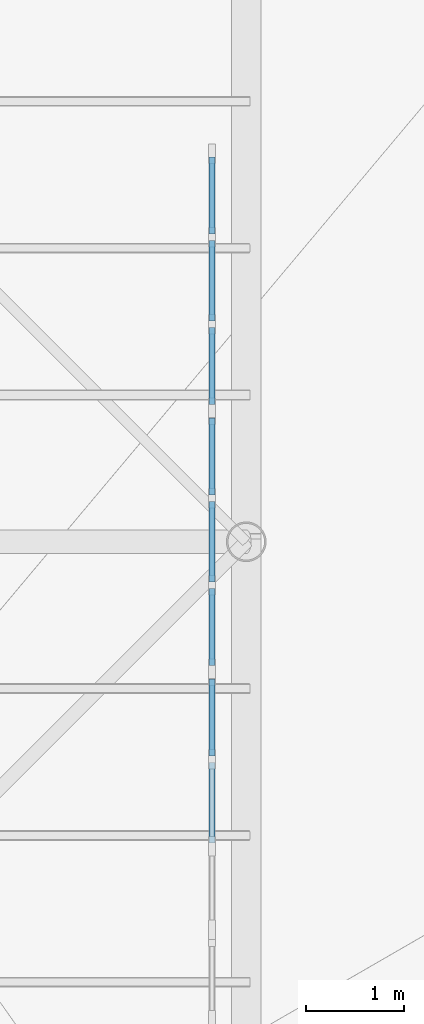
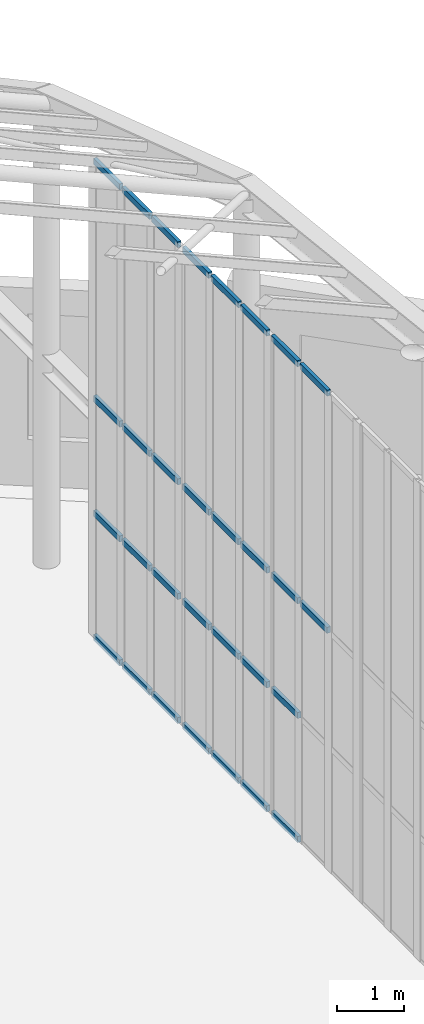
# One storey, part 49 of 75: 30 members, 3 elements without a shape of their own.
"""IFC4 building model written with IfcOpenShell, lengths in metres."""

from ifc_helpers import new_model, si_unit, direction, frame, origin, origin_2d, place, context, subcontext, project, spatial, rectangle, extrude, material, material_profile, profile_set, type_object, element, aggregate, save


model = new_model("IFC4")

# Units and contexts
model_context = context("Model", 3, precision=1e-05, world=origin(), true_north=direction((0.0, 1.0)))
body_context = subcontext(model_context, "Body", "Model", "MODEL_VIEW")
ifc_project = project(units=[si_unit("LENGTHUNIT", "METRE"), si_unit("AREAUNIT", "SQUARE_METRE"), si_unit("VOLUMEUNIT", "CUBIC_METRE"), si_unit("PLANEANGLEUNIT", "RADIAN"), si_unit("MASSUNIT", "GRAM", prefix="KILO")], contexts=[model_context])

# Site, building, storey
site_placement = place(None, origin())
site = spatial("IfcSite", under=ifc_project, at=site_placement, CompositionType="ELEMENT")
building_placement = place(site_placement, origin())
building = spatial("IfcBuilding", under=site, at=building_placement, Name="Kolvaren Corner Interchange", CompositionType="ELEMENT")
storey_placement = place(building_placement, frame((0.0, 0.0, 10.5)))
storey = spatial("IfcBuildingStorey", under=building, at=storey_placement, Name="L03", CompositionType="ELEMENT", Elevation=10.5)

# Curtain wall, members
ifc_material_1 = material(Name="Unitised Aluminium and Solar-Control Glass Curtain Wall", Category="aluminium")
curtain_wall_type = type_object("IfcCurtainWallType", Name="CW-V1-CLER", PredefinedType="NOTDEFINED", material=ifc_material_1)
curtain_wall_1_placement = place(storey_placement, origin())
curtain_wall_1 = element("IfcCurtainWall", 1, at=curtain_wall_1_placement, inside=storey, type_object=curtain_wall_type, Name="Gridshell East End Curtain Wall Bay 10", PredefinedType="NOTDEFINED")
ifc_material_2 = material(Name="Anodised Aluminium Framing", Category="aluminium")
ifc_material_profile = material_profile(ifc_material_2, rectangle(XDim=0.06005859375, YDim=0.110107421875, at=origin_2d()), Name="ALU 60x110")
ifc_profile_set = profile_set([ifc_material_profile], Name="Anodised Aluminium Framing")
member_type = type_object("IfcMemberType", Name="TRN-ALU60x110", PredefinedType="USERDEFINED", material=ifc_profile_set)
member_1_placement = place(storey_placement, frame((131.64990234375, 56.923828125, 4.39990234375), z_axis=(0.0, 1.0, 0.0), x_axis=(-1.0, 0.0, 0.0)))
member_1 = element("IfcMember", 2, at=member_1_placement, type_object=member_type, Name="CW-103 transom 2.3", ObjectType="TRANSOM", PredefinedType="USERDEFINED", context=body_context, shape_type="SweptSolid", body=[
    extrude(rectangle(XDim=0.06005859375, YDim=0.110107421875, at=origin_2d()), origin(), (0.0, 0.0, 1.0), 0.819091796875),
])
member_2_placement = place(storey_placement, frame((131.64990234375, 56.923828125, 8.741943359375), z_axis=(0.0, 1.0, 0.0), x_axis=(-1.0, 0.0, 0.0)))
member_2 = element("IfcMember", 3, at=member_2_placement, type_object=member_type, Name="CW-103 transom 2.4", ObjectType="TRANSOM", PredefinedType="USERDEFINED", context=body_context, shape_type="SweptSolid", body=[
    extrude(rectangle(XDim=0.06005859375, YDim=0.110107421875, at=origin_2d()), origin(), (0.0, 0.0, 1.0), 0.819091796875),
])
member_3_placement = place(storey_placement, frame((131.64990234375, 57.812744140625, 0.030029296875), z_axis=(0.0, 1.0, 0.0), x_axis=(-1.0, 0.0, 0.0)))
member_3 = element("IfcMember", 4, at=member_3_placement, type_object=member_type, Name="CW-103 transom 3.1", ObjectType="TRANSOM", PredefinedType="USERDEFINED", context=body_context, shape_type="SweptSolid", body=[
    extrude(rectangle(XDim=0.06005859375, YDim=0.110107421875, at=origin_2d()), origin(), (0.0, 0.0, 1.0), 0.783935546875),
])
member_4_placement = place(storey_placement, frame((131.64990234375, 57.812744140625, 2.300048828125), z_axis=(0.0, 1.0, 0.0), x_axis=(-1.0, 0.0, 0.0)))
member_4 = element("IfcMember", 5, at=member_4_placement, type_object=member_type, Name="CW-103 transom 3.2", ObjectType="TRANSOM", PredefinedType="USERDEFINED", context=body_context, shape_type="SweptSolid", body=[
    extrude(rectangle(XDim=0.06005859375, YDim=0.110107421875, at=origin_2d()), origin(), (0.0, 0.0, 1.0), 0.783935546875),
])
member_5_placement = place(storey_placement, frame((131.64990234375, 57.812744140625, 4.39990234375), z_axis=(0.0, 1.0, 0.0), x_axis=(-1.0, 0.0, 0.0)))
member_5 = element("IfcMember", 6, at=member_5_placement, type_object=member_type, Name="CW-103 transom 3.3", ObjectType="TRANSOM", PredefinedType="USERDEFINED", context=body_context, shape_type="SweptSolid", body=[
    extrude(rectangle(XDim=0.06005859375, YDim=0.110107421875, at=origin_2d()), origin(), (0.0, 0.0, 1.0), 0.783935546875),
])
member_6_placement = place(storey_placement, frame((131.64990234375, 57.812744140625, 8.741943359375), z_axis=(0.0, 1.0, 0.0), x_axis=(-1.0, 0.0, 0.0)))
member_6 = element("IfcMember", 7, at=member_6_placement, type_object=member_type, Name="CW-103 transom 3.4", ObjectType="TRANSOM", PredefinedType="USERDEFINED", context=body_context, shape_type="SweptSolid", body=[
    extrude(rectangle(XDim=0.06005859375, YDim=0.110107421875, at=origin_2d()), origin(), (0.0, 0.0, 1.0), 0.783935546875),
])
aggregate(curtain_wall_1, [member_1, member_2, member_3, member_4, member_5, member_6])

curtain_wall_2_placement = place(storey_placement, origin())
curtain_wall_2 = element("IfcCurtainWall", 8, at=curtain_wall_2_placement, inside=storey, type_object=curtain_wall_type, Name="Gridshell East End Curtain Wall Bay 11", PredefinedType="NOTDEFINED")
member_7_placement = place(storey_placement, frame((131.64990234375, 58.73681640625, 0.030029296875), z_axis=(0.0, 1.0, 0.0), x_axis=(-1.0, 0.0, 0.0)))
member_7 = element("IfcMember", 9, at=member_7_placement, type_object=member_type, Name="CW-104 transom 1.1", ObjectType="TRANSOM", PredefinedType="USERDEFINED", context=body_context, shape_type="SweptSolid", body=[
    extrude(rectangle(XDim=0.06005859375, YDim=0.110107421875, at=origin_2d()), origin(), (0.0, 0.0, 1.0), 0.78369140625),
])
member_8_placement = place(storey_placement, frame((131.64990234375, 58.73681640625, 2.300048828125), z_axis=(0.0, 1.0, 0.0), x_axis=(-1.0, 0.0, 0.0)))
member_8 = element("IfcMember", 10, at=member_8_placement, type_object=member_type, Name="CW-104 transom 1.2", ObjectType="TRANSOM", PredefinedType="USERDEFINED", context=body_context, shape_type="SweptSolid", body=[
    extrude(rectangle(XDim=0.06005859375, YDim=0.110107421875, at=origin_2d()), origin(), (0.0, 0.0, 1.0), 0.78369140625),
])
member_9_placement = place(storey_placement, frame((131.64990234375, 58.73681640625, 4.39990234375), z_axis=(0.0, 1.0, 0.0), x_axis=(-1.0, 0.0, 0.0)))
member_9 = element("IfcMember", 11, at=member_9_placement, type_object=member_type, Name="CW-104 transom 1.3", ObjectType="TRANSOM", PredefinedType="USERDEFINED", context=body_context, shape_type="SweptSolid", body=[
    extrude(rectangle(XDim=0.06005859375, YDim=0.110107421875, at=origin_2d()), origin(), (0.0, 0.0, 1.0), 0.78369140625),
])
member_10_placement = place(storey_placement, frame((131.64990234375, 58.73681640625, 8.741943359375), z_axis=(0.0, 1.0, 0.0), x_axis=(-1.0, 0.0, 0.0)))
member_10 = element("IfcMember", 12, at=member_10_placement, type_object=member_type, Name="CW-104 transom 1.4", ObjectType="TRANSOM", PredefinedType="USERDEFINED", context=body_context, shape_type="SweptSolid", body=[
    extrude(rectangle(XDim=0.06005859375, YDim=0.110107421875, at=origin_2d()), origin(), (0.0, 0.0, 1.0), 0.78369140625),
])
member_11_placement = place(storey_placement, frame((131.64990234375, 59.590576171875, 0.030029296875), z_axis=(0.0, 1.0, 0.0), x_axis=(-1.0, 0.0, 0.0)))
member_11 = element("IfcMember", 13, at=member_11_placement, type_object=member_type, Name="CW-104 transom 2.1", ObjectType="TRANSOM", PredefinedType="USERDEFINED", context=body_context, shape_type="SweptSolid", body=[
    extrude(rectangle(XDim=0.06005859375, YDim=0.110107421875, at=origin_2d()), origin(), (0.0, 0.0, 1.0), 0.81884765625),
])
member_12_placement = place(storey_placement, frame((131.64990234375, 59.590576171875, 2.300048828125), z_axis=(0.0, 1.0, 0.0), x_axis=(-1.0, 0.0, 0.0)))
member_12 = element("IfcMember", 14, at=member_12_placement, type_object=member_type, Name="CW-104 transom 2.2", ObjectType="TRANSOM", PredefinedType="USERDEFINED", context=body_context, shape_type="SweptSolid", body=[
    extrude(rectangle(XDim=0.06005859375, YDim=0.110107421875, at=origin_2d()), origin(), (0.0, 0.0, 1.0), 0.81884765625),
])
member_13_placement = place(storey_placement, frame((131.64990234375, 59.590576171875, 4.39990234375), z_axis=(0.0, 1.0, 0.0), x_axis=(-1.0, 0.0, 0.0)))
member_13 = element("IfcMember", 15, at=member_13_placement, type_object=member_type, Name="CW-104 transom 2.3", ObjectType="TRANSOM", PredefinedType="USERDEFINED", context=body_context, shape_type="SweptSolid", body=[
    extrude(rectangle(XDim=0.06005859375, YDim=0.110107421875, at=origin_2d()), origin(), (0.0, 0.0, 1.0), 0.81884765625),
])
member_14_placement = place(storey_placement, frame((131.64990234375, 59.590576171875, 8.741943359375), z_axis=(0.0, 1.0, 0.0), x_axis=(-1.0, 0.0, 0.0)))
member_14 = element("IfcMember", 16, at=member_14_placement, type_object=member_type, Name="CW-104 transom 2.4", ObjectType="TRANSOM", PredefinedType="USERDEFINED", context=body_context, shape_type="SweptSolid", body=[
    extrude(rectangle(XDim=0.06005859375, YDim=0.110107421875, at=origin_2d()), origin(), (0.0, 0.0, 1.0), 0.81884765625),
])
member_15_placement = place(storey_placement, frame((131.64990234375, 60.4794921875, 0.030029296875), z_axis=(0.0, 1.0, 0.0), x_axis=(-1.0, 0.0, 0.0)))
member_15 = element("IfcMember", 17, at=member_15_placement, type_object=member_type, Name="CW-104 transom 3.1", ObjectType="TRANSOM", PredefinedType="USERDEFINED", context=body_context, shape_type="SweptSolid", body=[
    extrude(rectangle(XDim=0.06005859375, YDim=0.110107421875, at=origin_2d()), origin(), (0.0, 0.0, 1.0), 0.78369140625),
])
member_16_placement = place(storey_placement, frame((131.64990234375, 60.4794921875, 2.300048828125), z_axis=(0.0, 1.0, 0.0), x_axis=(-1.0, 0.0, 0.0)))
member_16 = element("IfcMember", 18, at=member_16_placement, type_object=member_type, Name="CW-104 transom 3.2", ObjectType="TRANSOM", PredefinedType="USERDEFINED", context=body_context, shape_type="SweptSolid", body=[
    extrude(rectangle(XDim=0.06005859375, YDim=0.110107421875, at=origin_2d()), origin(), (0.0, 0.0, 1.0), 0.78369140625),
])
member_17_placement = place(storey_placement, frame((131.64990234375, 60.4794921875, 4.39990234375), z_axis=(0.0, 1.0, 0.0), x_axis=(-1.0, 0.0, 0.0)))
member_17 = element("IfcMember", 19, at=member_17_placement, type_object=member_type, Name="CW-104 transom 3.3", ObjectType="TRANSOM", PredefinedType="USERDEFINED", context=body_context, shape_type="SweptSolid", body=[
    extrude(rectangle(XDim=0.06005859375, YDim=0.110107421875, at=origin_2d()), origin(), (0.0, 0.0, 1.0), 0.78369140625),
])
member_18_placement = place(storey_placement, frame((131.64990234375, 60.4794921875, 8.741943359375), z_axis=(0.0, 1.0, 0.0), x_axis=(-1.0, 0.0, 0.0)))
member_18 = element("IfcMember", 20, at=member_18_placement, type_object=member_type, Name="CW-104 transom 3.4", ObjectType="TRANSOM", PredefinedType="USERDEFINED", context=body_context, shape_type="SweptSolid", body=[
    extrude(rectangle(XDim=0.06005859375, YDim=0.110107421875, at=origin_2d()), origin(), (0.0, 0.0, 1.0), 0.78369140625),
])
aggregate(curtain_wall_2, [member_7, member_8, member_9, member_10, member_11, member_12, member_13, member_14, member_15, member_16, member_17, member_18])

curtain_wall_3_placement = place(storey_placement, origin())
curtain_wall_3 = element("IfcCurtainWall", 21, at=curtain_wall_3_placement, inside=storey, type_object=curtain_wall_type, Name="Gridshell East End Curtain Wall Bay 12", PredefinedType="NOTDEFINED")
member_19_placement = place(storey_placement, frame((131.64990234375, 61.4033203125, 0.030029296875), z_axis=(0.0, 1.0, 0.0), x_axis=(-1.0, 0.0, 0.0)))
member_19 = element("IfcMember", 22, at=member_19_placement, type_object=member_type, Name="CW-105 transom 1.1", ObjectType="TRANSOM", PredefinedType="USERDEFINED", context=body_context, shape_type="SweptSolid", body=[
    extrude(rectangle(XDim=0.06005859375, YDim=0.110107421875, at=origin_2d()), origin(), (0.0, 0.0, 1.0), 0.783935546875),
])
member_20_placement = place(storey_placement, frame((131.64990234375, 61.4033203125, 2.300048828125), z_axis=(0.0, 1.0, 0.0), x_axis=(-1.0, 0.0, 0.0)))
member_20 = element("IfcMember", 23, at=member_20_placement, type_object=member_type, Name="CW-105 transom 1.2", ObjectType="TRANSOM", PredefinedType="USERDEFINED", context=body_context, shape_type="SweptSolid", body=[
    extrude(rectangle(XDim=0.06005859375, YDim=0.110107421875, at=origin_2d()), origin(), (0.0, 0.0, 1.0), 0.783935546875),
])
member_21_placement = place(storey_placement, frame((131.64990234375, 61.4033203125, 4.39990234375), z_axis=(0.0, 1.0, 0.0), x_axis=(-1.0, 0.0, 0.0)))
member_21 = element("IfcMember", 24, at=member_21_placement, type_object=member_type, Name="CW-105 transom 1.3", ObjectType="TRANSOM", PredefinedType="USERDEFINED", context=body_context, shape_type="SweptSolid", body=[
    extrude(rectangle(XDim=0.06005859375, YDim=0.110107421875, at=origin_2d()), origin(), (0.0, 0.0, 1.0), 0.783935546875),
])
member_22_placement = place(storey_placement, frame((131.64990234375, 61.4033203125, 8.741943359375), z_axis=(0.0, 1.0, 0.0), x_axis=(-1.0, 0.0, 0.0)))
member_22 = element("IfcMember", 25, at=member_22_placement, type_object=member_type, Name="CW-105 transom 1.4", ObjectType="TRANSOM", PredefinedType="USERDEFINED", context=body_context, shape_type="SweptSolid", body=[
    extrude(rectangle(XDim=0.06005859375, YDim=0.110107421875, at=origin_2d()), origin(), (0.0, 0.0, 1.0), 0.783935546875),
])
member_23_placement = place(storey_placement, frame((131.64990234375, 62.257080078125, 0.030029296875), z_axis=(0.0, 1.0, 0.0), x_axis=(-1.0, 0.0, 0.0)))
member_23 = element("IfcMember", 26, at=member_23_placement, type_object=member_type, Name="CW-105 transom 2.1", ObjectType="TRANSOM", PredefinedType="USERDEFINED", context=body_context, shape_type="SweptSolid", body=[
    extrude(rectangle(XDim=0.06005859375, YDim=0.110107421875, at=origin_2d()), origin(), (0.0, 0.0, 1.0), 0.819091796875),
])
member_24_placement = place(storey_placement, frame((131.64990234375, 62.257080078125, 2.300048828125), z_axis=(0.0, 1.0, 0.0), x_axis=(-1.0, 0.0, 0.0)))
member_24 = element("IfcMember", 27, at=member_24_placement, type_object=member_type, Name="CW-105 transom 2.2", ObjectType="TRANSOM", PredefinedType="USERDEFINED", context=body_context, shape_type="SweptSolid", body=[
    extrude(rectangle(XDim=0.06005859375, YDim=0.110107421875, at=origin_2d()), origin(), (0.0, 0.0, 1.0), 0.819091796875),
])
member_25_placement = place(storey_placement, frame((131.64990234375, 62.257080078125, 4.39990234375), z_axis=(0.0, 1.0, 0.0), x_axis=(-1.0, 0.0, 0.0)))
member_25 = element("IfcMember", 28, at=member_25_placement, type_object=member_type, Name="CW-105 transom 2.3", ObjectType="TRANSOM", PredefinedType="USERDEFINED", context=body_context, shape_type="SweptSolid", body=[
    extrude(rectangle(XDim=0.06005859375, YDim=0.110107421875, at=origin_2d()), origin(), (0.0, 0.0, 1.0), 0.819091796875),
])
member_26_placement = place(storey_placement, frame((131.64990234375, 62.257080078125, 8.741943359375), z_axis=(0.0, 1.0, 0.0), x_axis=(-1.0, 0.0, 0.0)))
member_26 = element("IfcMember", 29, at=member_26_placement, type_object=member_type, Name="CW-105 transom 2.4", ObjectType="TRANSOM", PredefinedType="USERDEFINED", context=body_context, shape_type="SweptSolid", body=[
    extrude(rectangle(XDim=0.06005859375, YDim=0.110107421875, at=origin_2d()), origin(), (0.0, 0.0, 1.0), 0.819091796875),
])
member_27_placement = place(storey_placement, frame((131.64990234375, 63.14599609375, 0.030029296875), z_axis=(0.0, 1.0, 0.0), x_axis=(-1.0, 0.0, 0.0)))
member_27 = element("IfcMember", 30, at=member_27_placement, type_object=member_type, Name="CW-105 transom 3.1", ObjectType="TRANSOM", PredefinedType="USERDEFINED", context=body_context, shape_type="SweptSolid", body=[
    extrude(rectangle(XDim=0.06005859375, YDim=0.110107421875, at=origin_2d()), origin(), (0.0, 0.0, 1.0), 0.783935546875),
])
member_28_placement = place(storey_placement, frame((131.64990234375, 63.14599609375, 2.300048828125), z_axis=(0.0, 1.0, 0.0), x_axis=(-1.0, 0.0, 0.0)))
member_28 = element("IfcMember", 31, at=member_28_placement, type_object=member_type, Name="CW-105 transom 3.2", ObjectType="TRANSOM", PredefinedType="USERDEFINED", context=body_context, shape_type="SweptSolid", body=[
    extrude(rectangle(XDim=0.06005859375, YDim=0.110107421875, at=origin_2d()), origin(), (0.0, 0.0, 1.0), 0.783935546875),
])
member_29_placement = place(storey_placement, frame((131.64990234375, 63.14599609375, 4.39990234375), z_axis=(0.0, 1.0, 0.0), x_axis=(-1.0, 0.0, 0.0)))
member_29 = element("IfcMember", 32, at=member_29_placement, type_object=member_type, Name="CW-105 transom 3.3", ObjectType="TRANSOM", PredefinedType="USERDEFINED", context=body_context, shape_type="SweptSolid", body=[
    extrude(rectangle(XDim=0.06005859375, YDim=0.110107421875, at=origin_2d()), origin(), (0.0, 0.0, 1.0), 0.783935546875),
])
member_30_placement = place(storey_placement, frame((131.64990234375, 63.14599609375, 8.741943359375), z_axis=(0.0, 1.0, 0.0), x_axis=(-1.0, 0.0, 0.0)))
member_30 = element("IfcMember", 33, at=member_30_placement, type_object=member_type, Name="CW-105 transom 3.4", ObjectType="TRANSOM", PredefinedType="USERDEFINED", context=body_context, shape_type="SweptSolid", body=[
    extrude(rectangle(XDim=0.06005859375, YDim=0.110107421875, at=origin_2d()), origin(), (0.0, 0.0, 1.0), 0.783935546875),
])
aggregate(curtain_wall_3, [member_19, member_20, member_21, member_22, member_23, member_24, member_25, member_26, member_27, member_28, member_29, member_30])

save(model, "model.ifc")
